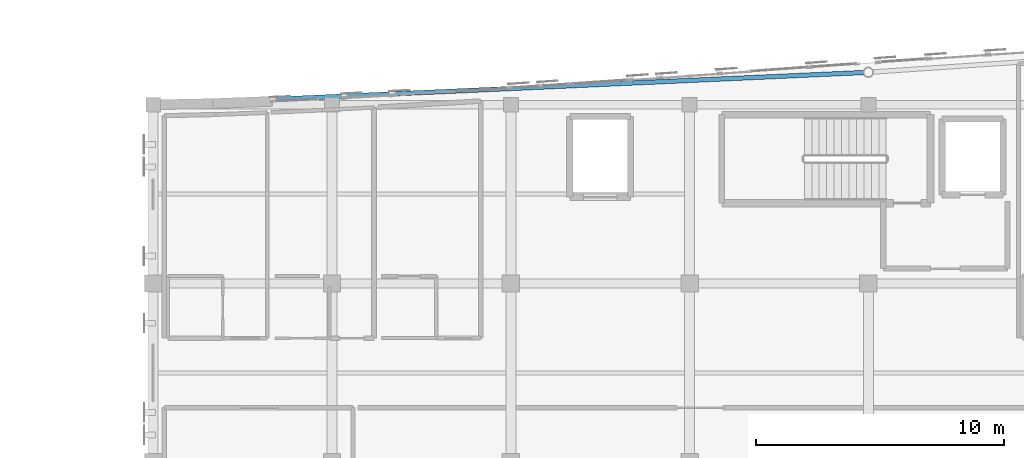
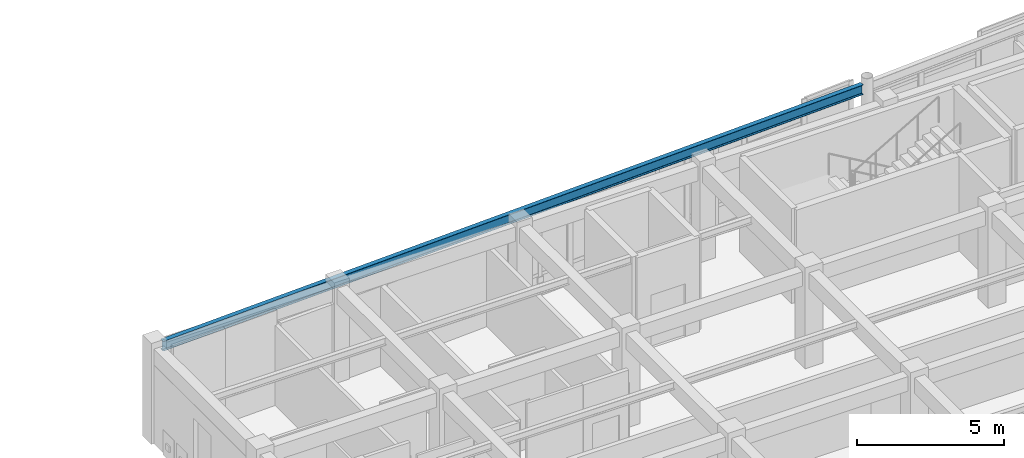
# One storey, part 37 of 113: 1 beam.
"""IFC4 building model written with IfcOpenShell, lengths in metres."""

from ifc_helpers import new_model, si_unit, direction, frame, origin, origin_2d, place, context, subcontext, project, spatial, i_section, extrude, material, material_profile, profile_set, type_object, element, save


model = new_model("IFC4")

# Units and contexts
model_context = context("Model", 3, precision=1e-05, world=origin(), true_north=direction((0.0, 1.0)))
body_context = subcontext(model_context, "Body", "Model", "MODEL_VIEW")
ifc_project = project(units=[si_unit("LENGTHUNIT", "METRE"), si_unit("AREAUNIT", "SQUARE_METRE"), si_unit("VOLUMEUNIT", "CUBIC_METRE"), si_unit("PLANEANGLEUNIT", "RADIAN"), si_unit("MASSUNIT", "GRAM", prefix="KILO")], contexts=[model_context])

# Site, building, storey
site_placement = place(None, origin())
site = spatial("IfcSite", under=ifc_project, at=site_placement, CompositionType="ELEMENT")
building_placement = place(site_placement, origin())
building = spatial("IfcBuilding", under=site, at=building_placement, Name="Carrowvane Square Congress Hotel", CompositionType="ELEMENT")
storey_placement = place(building_placement, frame((0.0, 0.0, 15.0)))
storey = spatial("IfcBuildingStorey", under=building, at=storey_placement, Name="L03", CompositionType="ELEMENT", Elevation=15.0)

# Beam
ifc_material = material(Name="Steel S355", Category="steel")
ifc_material_profile = material_profile(ifc_material, i_section(OverallWidth=0.1787109375, OverallDepth=0.409423828125, WebThickness=0.0087890625, FlangeThickness=0.014404296875, FilletRadius=0.01025390625, at=origin_2d()), Name="UKB 406x178x67")
ifc_profile_set = profile_set([ifc_material_profile], Name="Steel S355")
beam_type = type_object("IfcBeamType", Name="BM-ST-UKB406", PredefinedType="BEAM", material=ifc_profile_set)
beam_placement = place(storey_placement, frame((33.499755859375, 113.41357421875, 3.7353515625), z_axis=(0.998973403658, 0.04530053845, 0.0), x_axis=(-0.04530053845, 0.998973403658, 0.0)))
element("IfcBeam", 1, at=beam_placement, inside=storey, type_object=beam_type, Name="L04 curved north spandrel", PredefinedType="BEAM", context=body_context, shape_type="SweptSolid", body=[
    extrude(i_section(OverallWidth=0.1787109375, OverallDepth=0.409423828125, WebThickness=0.0087890625, FlangeThickness=0.014404296875, FilletRadius=0.01025390625, at=origin_2d()), origin(), (0.0, 0.0, 1.0), 28.326416015625),
])

save(model, "model.ifc")
